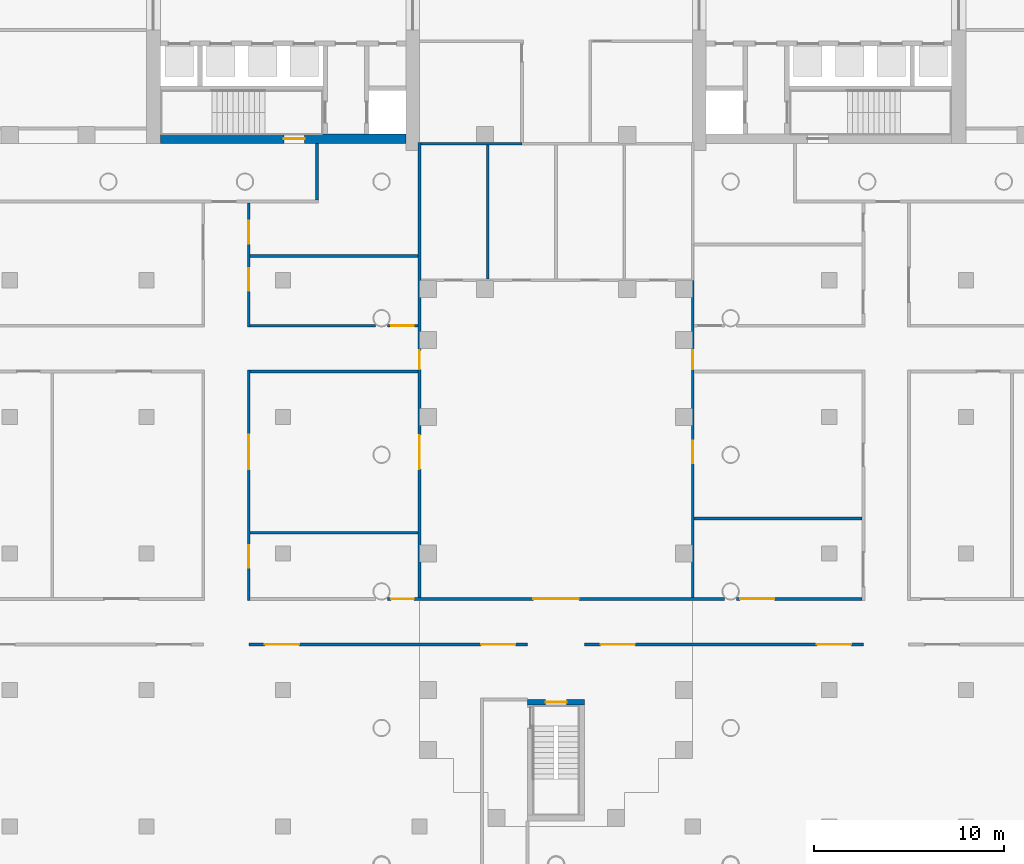
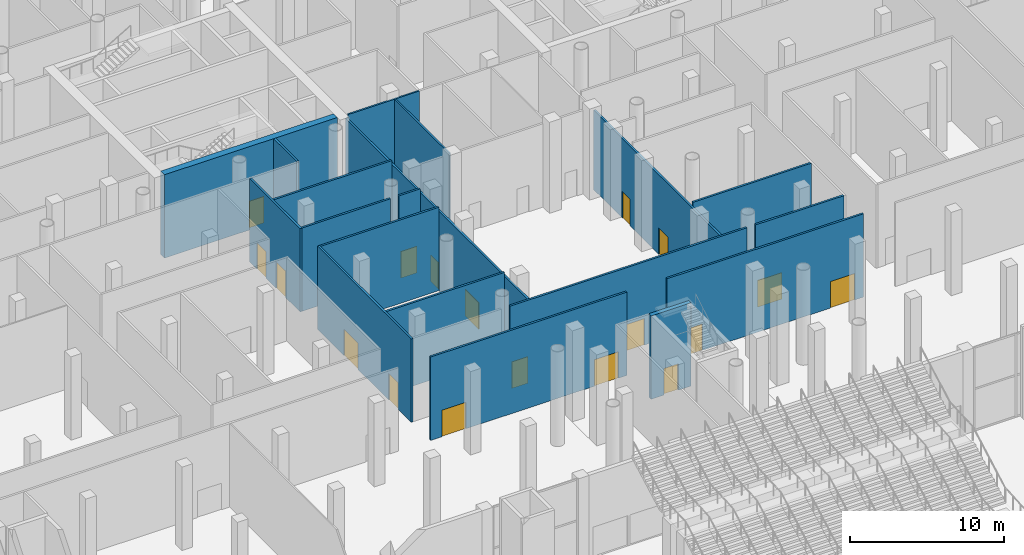
# One storey, part 17 of 44: 19 walls, 18 doors, 18 openings.
"""IFC4 building model written with IfcOpenShell, lengths in metres."""

from ifc_helpers import new_model, si_unit, direction, frame, frame_2d, origin, place, context, subcontext, project, spatial, rectangle, extrude, material, layer, layer_set, type_object, element, fill, save


model = new_model("IFC4")

# Units and contexts
model_context = context("Model", 3, precision=1e-05, world=origin(), true_north=direction((0.0, 1.0)))
body_context = subcontext(model_context, "Body", "Model", "MODEL_VIEW")
ifc_project = project(units=[si_unit("LENGTHUNIT", "METRE"), si_unit("AREAUNIT", "SQUARE_METRE"), si_unit("VOLUMEUNIT", "CUBIC_METRE"), si_unit("PLANEANGLEUNIT", "RADIAN"), si_unit("MASSUNIT", "GRAM", prefix="KILO")], contexts=[model_context])

# Site, building, storey
site_placement = place(None, origin())
site = spatial("IfcSite", under=ifc_project, at=site_placement, CompositionType="ELEMENT")
building_placement = place(site_placement, origin())
building = spatial("IfcBuilding", under=site, at=building_placement, Name="Fustian Cross Tower", CompositionType="ELEMENT")
storey_placement = place(building_placement, origin())
storey = spatial("IfcBuildingStorey", under=building, at=storey_placement, Name="L00", CompositionType="ELEMENT", Elevation=0.0)

# Wall, openings, doors
ifc_material_1 = material(Name="Plasterboard on steel stud", Category="steel")
ifc_layer_1 = layer(ifc_material_1, 0.14990234375)
ifc_layer_set_1 = layer_set([ifc_layer_1], Name="Plasterboard on steel stud")
wall_type_1 = type_object("IfcWallType", Name="COMPARTMENT WALL 150 EI 60", PredefinedType="PARTITIONING", material=ifc_layer_set_1)
wall_1_placement = place(storey_placement, frame((-16.199951171875, -33.60009765625, 0.0), z_axis=(0.0, 0.0, 1.0), x_axis=(1.0, 0.0, 0.0)))
wall_1 = element("IfcWall", 1, at=wall_1_placement, inside=storey, type_object=wall_type_1, Name="Partition 44", PredefinedType="PARTITIONING", context=body_context, shape_type="SweptSolid", body=[
    extrude(rectangle(XDim=14.699951171875, YDim=0.14990234375, at=frame_2d((7.35009765625, 0.0))), origin(), (0.0, 0.0, 1.0), 6.60009765625),
])
opening_1_placement = place(wall_1_placement, frame((0.85009765625, 0.0, 0.0)))
opening_1 = element("IfcOpeningElement", 2, at=opening_1_placement, cuts=wall_1, Name="Opening D02110", PredefinedType="OPENING", context=body_context, shape_type="SweptSolid", body=[
    extrude(rectangle(XDim=1.800048828125, YDim=2.10009765625, at=frame_2d((0.89990234375, 1.050048828125))), frame((0.0, 0.0849609375, 0.0), z_axis=(0.0, -1.0, 0.0), x_axis=(1.0, 0.0, 0.0)), (0.0, 0.0, 1.0), 0.169921875),
])
opening_2_placement = place(wall_1_placement, frame((12.25, 0.0, 0.0)))
opening_2 = element("IfcOpeningElement", 3, at=opening_2_placement, cuts=wall_1, Name="Opening D02111", PredefinedType="OPENING", context=body_context, shape_type="SweptSolid", body=[
    extrude(rectangle(XDim=1.800048828125, YDim=2.10009765625, at=frame_2d((0.89990234375, 1.050048828125))), frame((0.0, 0.0849609375, 0.0), z_axis=(0.0, -1.0, 0.0), x_axis=(1.0, 0.0, 0.0)), (0.0, 0.0, 1.0), 0.169921875),
])
ifc_material_2 = material(Name="Timber fire door set", Category="wood")
door_type_1 = type_object("IfcDoorType", Name="FIRE DOUBLE DOOR 1800 FD30S", OperationType="DOUBLE_DOOR_DOUBLE_SWING", PredefinedType="DOOR", material=ifc_material_2)
door_1_placement = place(opening_1_placement, origin())
door_1 = element("IfcDoor", 4, at=door_1_placement, inside=storey, type_object=door_type_1, Name="Door D02110", OperationType="DOUBLE_DOOR_DOUBLE_SWING", OverallHeight=2.10009765625, OverallWidth=1.800048828125, PredefinedType="DOOR", context=body_context, shape_type="SweptSolid", body=[
    extrude(rectangle(XDim=1.800048828125, YDim=2.10009765625, at=frame_2d((0.89990234375, 1.050048828125))), frame((0.0, 0.02490234375, 0.0), z_axis=(0.0, -1.0, 0.0), x_axis=(1.0, 0.0, 0.0)), (0.0, 0.0, 1.0), 0.050048828125),
])
fill(opening_1, door_1)
door_2_placement = place(opening_2_placement, origin())
door_2 = element("IfcDoor", 5, at=door_2_placement, inside=storey, type_object=door_type_1, Name="Door D02111", OperationType="DOUBLE_DOOR_DOUBLE_SWING", OverallHeight=2.10009765625, OverallWidth=1.800048828125, PredefinedType="DOOR", context=body_context, shape_type="SweptSolid", body=[
    extrude(rectangle(XDim=1.800048828125, YDim=2.10009765625, at=frame_2d((0.89990234375, 1.050048828125))), frame((0.0, 0.02490234375, 0.0), z_axis=(0.0, -1.0, 0.0), x_axis=(1.0, 0.0, 0.0)), (0.0, 0.0, 1.0), 0.050048828125),
])
fill(opening_2, door_2)

wall_2_placement = place(storey_placement, frame((-16.199951171875, -31.27490234375, 0.0), z_axis=(0.0, 0.0, 1.0), x_axis=(0.0, 1.0, 0.0)))
wall_2 = element("IfcWall", 6, at=wall_2_placement, inside=storey, type_object=wall_type_1, Name="Partition 45", PredefinedType="PARTITIONING", context=body_context, shape_type="SweptSolid", body=[
    extrude(rectangle(XDim=12.14990234375, YDim=0.14990234375, at=frame_2d((6.074951171875, 0.0))), origin(), (0.0, 0.0, 1.0), 6.60009765625),
])
opening_3_placement = place(wall_2_placement, frame((1.717041015625, 0.0, 0.0)))
opening_3 = element("IfcOpeningElement", 7, at=opening_3_placement, cuts=wall_2, Name="Opening D02098", PredefinedType="OPENING", context=body_context, shape_type="SweptSolid", body=[
    extrude(rectangle(XDim=1.199951171875, YDim=2.10009765625, at=frame_2d((0.60009765625, 1.050048828125))), frame((0.0, 0.0849609375, 0.0), z_axis=(0.0, -1.0, 0.0), x_axis=(1.0, 0.0, 0.0)), (0.0, 0.0, 1.0), 0.169921875),
])
opening_4_placement = place(wall_2_placement, frame((6.925048828125, 0.0, 0.0)))
opening_4 = element("IfcOpeningElement", 8, at=opening_4_placement, cuts=wall_2, Name="Opening D02100", PredefinedType="OPENING", context=body_context, shape_type="SweptSolid", body=[
    extrude(rectangle(XDim=1.800048828125, YDim=2.10009765625, at=frame_2d((0.89990234375, 1.050048828125))), frame((0.0, 0.0849609375, 0.0), z_axis=(0.0, -1.0, 0.0), x_axis=(1.0, 0.0, 0.0)), (0.0, 0.0, 1.0), 0.169921875),
])
door_3_placement = place(opening_4_placement, origin())
door_3 = element("IfcDoor", 9, at=door_3_placement, inside=storey, type_object=door_type_1, Name="Door D02100", OperationType="DOUBLE_DOOR_DOUBLE_SWING", OverallHeight=2.10009765625, OverallWidth=1.800048828125, PredefinedType="DOOR", context=body_context, shape_type="SweptSolid", body=[
    extrude(rectangle(XDim=1.800048828125, YDim=2.10009765625, at=frame_2d((0.89990234375, 1.050048828125))), frame((0.0, 0.02490234375, 0.0), z_axis=(0.0, -1.0, 0.0), x_axis=(1.0, 0.0, 0.0)), (0.0, 0.0, 1.0), 0.050048828125),
])
fill(opening_4, door_3)
ifc_material_3 = material(Name="Timber fire door set", Category="wood")
door_type_2 = type_object("IfcDoorType", Name="FIRE SWING DOOR 1200 FD30S", OperationType="SINGLE_SWING_LEFT", PredefinedType="DOOR", material=ifc_material_3)
door_4_placement = place(opening_3_placement, frame((1.199951171875, 0.0, 0.0), z_axis=(0.0, 0.0, 1.0), x_axis=(-1.0, 0.0, 0.0)))
door_4 = element("IfcDoor", 10, at=door_4_placement, inside=storey, type_object=door_type_2, Name="Door D02098", OperationType="SINGLE_SWING_LEFT", OverallHeight=2.10009765625, OverallWidth=1.199951171875, PredefinedType="DOOR", context=body_context, shape_type="SweptSolid", body=[
    extrude(rectangle(XDim=1.199951171875, YDim=2.10009765625, at=frame_2d((0.60009765625, 1.050048828125))), frame((0.0, 0.02490234375, 0.0), z_axis=(0.0, -1.0, 0.0), x_axis=(1.0, 0.0, 0.0)), (0.0, 0.0, 1.0), 0.050048828125),
])
fill(opening_3, door_4)

wall_3_placement = place(storey_placement, frame((-8.87841796875, -31.199951171875, 0.0), z_axis=(0.0, 0.0, 1.0), x_axis=(1.0, 0.0, 0.0)))
wall_3 = element("IfcWall", 11, at=wall_3_placement, inside=storey, type_object=wall_type_1, Name="Partition 155", PredefinedType="PARTITIONING", context=body_context, shape_type="SweptSolid", body=[
    extrude(rectangle(XDim=17.7568359375, YDim=0.14990234375, at=frame_2d((8.87841796875, 0.0))), origin(), (0.0, 0.0, 1.0), 6.60009765625),
])
opening_5_placement = place(wall_3_placement, frame((7.678466796875, 0.0, 0.0)))
opening_5 = element("IfcOpeningElement", 12, at=opening_5_placement, cuts=wall_3, Name="Opening D02007", PredefinedType="OPENING", context=body_context, shape_type="SweptSolid", body=[
    extrude(rectangle(XDim=2.39990234375, YDim=2.10009765625, at=frame_2d((1.199951171875, 1.050048828125))), frame((0.0, 0.0849609375, 0.0), z_axis=(0.0, -1.0, 0.0), x_axis=(1.0, 0.0, 0.0)), (0.0, 0.0, 1.0), 0.169921875),
])
opening_6_placement = place(wall_3_placement, frame((0.178466796875, 0.0, 0.0)))
opening_6 = element("IfcOpeningElement", 13, at=opening_6_placement, cuts=wall_3, Name="Opening D02099", PredefinedType="OPENING", context=body_context, shape_type="SweptSolid", body=[
    extrude(rectangle(XDim=1.199951171875, YDim=2.10009765625, at=frame_2d((0.60009765625, 1.050048828125))), frame((0.0, 0.0849609375, 0.0), z_axis=(0.0, -1.0, 0.0), x_axis=(1.0, 0.0, 0.0)), (0.0, 0.0, 1.0), 0.169921875),
])
ifc_material_4 = material(Name="Timber fire door set", Category="wood")
door_type_3 = type_object("IfcDoorType", Name="FIRE DOUBLE DOOR 2400 FD30S", OperationType="DOUBLE_DOOR_DOUBLE_SWING", PredefinedType="DOOR", material=ifc_material_4)
door_5_placement = place(opening_5_placement, frame((2.39990234375, 0.0, 0.0), z_axis=(0.0, 0.0, 1.0), x_axis=(-1.0, 0.0, 0.0)))
door_5 = element("IfcDoor", 14, at=door_5_placement, inside=storey, type_object=door_type_3, Name="Door D02007", OperationType="DOUBLE_DOOR_DOUBLE_SWING", OverallHeight=2.10009765625, OverallWidth=2.39990234375, PredefinedType="DOOR", context=body_context, shape_type="SweptSolid", body=[
    extrude(rectangle(XDim=2.39990234375, YDim=2.10009765625, at=frame_2d((1.199951171875, 1.050048828125))), frame((0.0, 0.02490234375, 0.0), z_axis=(0.0, -1.0, 0.0), x_axis=(1.0, 0.0, 0.0)), (0.0, 0.0, 1.0), 0.050048828125),
])
fill(opening_5, door_5)
door_6_placement = place(opening_6_placement, origin())
door_6 = element("IfcDoor", 15, at=door_6_placement, inside=storey, type_object=door_type_2, Name="Door D02099", OperationType="SINGLE_SWING_RIGHT", OverallHeight=2.10009765625, OverallWidth=1.199951171875, PredefinedType="DOOR", context=body_context, shape_type="SweptSolid", body=[
    extrude(rectangle(XDim=1.199951171875, YDim=2.10009765625, at=frame_2d((0.60009765625, 1.050048828125))), frame((0.0, 0.02490234375, 0.0), z_axis=(0.0, -1.0, 0.0), x_axis=(1.0, 0.0, 0.0)), (0.0, 0.0, 1.0), 0.050048828125),
])
fill(opening_6, door_6)

# Wall, opening, door
wall_4_placement = place(storey_placement, frame((9.521484375, -31.199951171875, 0.0), z_axis=(0.0, 0.0, 1.0), x_axis=(1.0, 0.0, 0.0)))
wall_4 = element("IfcWall", 16, at=wall_4_placement, inside=storey, type_object=wall_type_1, Name="Partition 156", PredefinedType="PARTITIONING", context=body_context, shape_type="SweptSolid", body=[
    extrude(rectangle(XDim=6.603515625, YDim=0.14990234375, at=frame_2d((3.3017578125, 0.0))), origin(), (0.0, 0.0, 1.0), 6.60009765625),
])
opening_7_placement = place(wall_4_placement, frame((0.178466796875, 0.0, 0.0)))
opening_7 = element("IfcOpeningElement", 17, at=opening_7_placement, cuts=wall_4, Name="Opening D02122", PredefinedType="OPENING", context=body_context, shape_type="SweptSolid", body=[
    extrude(rectangle(XDim=1.800048828125, YDim=2.10009765625, at=frame_2d((0.89990234375, 1.050048828125))), frame((0.0, 0.0849609375, 0.0), z_axis=(0.0, -1.0, 0.0), x_axis=(1.0, 0.0, 0.0)), (0.0, 0.0, 1.0), 0.169921875),
])
door_7_placement = place(opening_7_placement, frame((1.800048828125, 0.0, 0.0), z_axis=(0.0, 0.0, 1.0), x_axis=(-1.0, 0.0, 0.0)))
door_7 = element("IfcDoor", 18, at=door_7_placement, inside=storey, type_object=door_type_1, Name="Door D02122", OperationType="DOUBLE_DOOR_DOUBLE_SWING", OverallHeight=2.10009765625, OverallWidth=1.800048828125, PredefinedType="DOOR", context=body_context, shape_type="SweptSolid", body=[
    extrude(rectangle(XDim=1.800048828125, YDim=2.10009765625, at=frame_2d((0.89990234375, 1.050048828125))), frame((0.0, 0.02490234375, 0.0), z_axis=(0.0, -1.0, 0.0), x_axis=(1.0, 0.0, 0.0)), (0.0, 0.0, 1.0), 0.050048828125),
])
fill(opening_7, door_7)

# Walls
for number, where, z_axis, x_axis, name in (
    (19, (-16.125, -27.7080078125, 0.0), (0.0, 0.0, 1.0), (1.0, 0.0, 0.0), "Partition 47"),
    (20, (-16.125, -19.199951171875, 0.0), (0.0, 0.0, 1.0), (1.0, 0.0, 0.0), "Partition 48"),
):
    element("IfcWall", number, at=place(storey_placement, frame(where, z_axis=z_axis, x_axis=x_axis)), inside=storey, type_object=wall_type_1, Name=name, PredefinedType="PARTITIONING", context=body_context, shape_type="SweptSolid", body=[
        extrude(rectangle(XDim=8.85009765625, YDim=0.14990234375, at=frame_2d((4.425048828125, 0.0))), origin(), (0.0, 0.0, 1.0), 6.60009765625),
    ])

# Wall, openings, doors
wall_5_placement = place(storey_placement, frame((-16.199951171875, -16.875, 0.0), z_axis=(0.0, 0.0, 1.0), x_axis=(0.0, 1.0, 0.0)))
wall_5 = element("IfcWall", 21, at=wall_5_placement, inside=storey, type_object=wall_type_1, Name="Partition 49", PredefinedType="PARTITIONING", context=body_context, shape_type="SweptSolid", body=[
    extrude(rectangle(XDim=6.550048828125, YDim=0.14990234375, at=frame_2d((3.27490234375, 0.0))), origin(), (0.0, 0.0, 1.0), 6.60009765625),
])
opening_8_placement = place(wall_5_placement, frame((1.910888671875, 0.0, 0.0)))
opening_8 = element("IfcOpeningElement", 22, at=opening_8_placement, cuts=wall_5, Name="Opening D02092", PredefinedType="OPENING", context=body_context, shape_type="SweptSolid", body=[
    extrude(rectangle(XDim=1.199951171875, YDim=2.10009765625, at=frame_2d((0.60009765625, 1.050048828125))), frame((0.0, 0.0849609375, 0.0), z_axis=(0.0, -1.0, 0.0), x_axis=(1.0, 0.0, 0.0)), (0.0, 0.0, 1.0), 0.169921875),
])
opening_9_placement = place(wall_5_placement, frame((4.410888671875, 0.0, 0.0)))
opening_9 = element("IfcOpeningElement", 23, at=opening_9_placement, cuts=wall_5, Name="Opening D02094", PredefinedType="OPENING", context=body_context, shape_type="SweptSolid", body=[
    extrude(rectangle(XDim=1.199951171875, YDim=2.10009765625, at=frame_2d((0.60009765625, 1.050048828125))), frame((0.0, 0.0849609375, 0.0), z_axis=(0.0, -1.0, 0.0), x_axis=(1.0, 0.0, 0.0)), (0.0, 0.0, 1.0), 0.169921875),
])
door_8_placement = place(opening_9_placement, frame((1.199951171875, 0.0, 0.0), z_axis=(0.0, 0.0, 1.0), x_axis=(-1.0, 0.0, 0.0)))
door_8 = element("IfcDoor", 24, at=door_8_placement, inside=storey, type_object=door_type_2, Name="Door D02094", OperationType="SINGLE_SWING_RIGHT", OverallHeight=2.10009765625, OverallWidth=1.199951171875, PredefinedType="DOOR", context=body_context, shape_type="SweptSolid", body=[
    extrude(rectangle(XDim=1.199951171875, YDim=2.10009765625, at=frame_2d((0.60009765625, 1.050048828125))), frame((0.0, 0.02490234375, 0.0), z_axis=(0.0, -1.0, 0.0), x_axis=(1.0, 0.0, 0.0)), (0.0, 0.0, 1.0), 0.050048828125),
])
fill(opening_9, door_8)
ifc_material_5 = material(Name="Timber fire door set", Category="wood")
door_type_4 = type_object("IfcDoorType", Name="FIRE SWING DOOR 1200 FD60S", OperationType="SINGLE_SWING_LEFT", PredefinedType="DOOR", material=ifc_material_5)
door_9_placement = place(opening_8_placement, origin())
door_9 = element("IfcDoor", 25, at=door_9_placement, inside=storey, type_object=door_type_4, Name="Door D02092", OperationType="SINGLE_SWING_LEFT", OverallHeight=2.10009765625, OverallWidth=1.199951171875, PredefinedType="DOOR", context=body_context, shape_type="SweptSolid", body=[
    extrude(rectangle(XDim=1.199951171875, YDim=2.10009765625, at=frame_2d((0.60009765625, 1.050048828125))), frame((0.0, 0.02490234375, 0.0), z_axis=(0.0, -1.0, 0.0), x_axis=(1.0, 0.0, 0.0)), (0.0, 0.0, 1.0), 0.050048828125),
])
fill(opening_8, door_9)

# Wall
wall_6_placement = place(storey_placement, frame((-16.125, -16.800048828125, 0.0), z_axis=(0.0, 0.0, 1.0), x_axis=(1.0, 0.0, 0.0)))
element("IfcWall", 26, at=wall_6_placement, inside=storey, type_object=wall_type_1, Name="Partition 50", PredefinedType="PARTITIONING", context=body_context, shape_type="SweptSolid", body=[
    extrude(rectangle(XDim=6.603515625, YDim=0.14990234375, at=frame_2d((3.3017578125, 0.0))), origin(), (0.0, 0.0, 1.0), 6.60009765625),
])

# Wall, opening, door
wall_7_placement = place(storey_placement, frame((-8.87841796875, -16.800048828125, 0.0), z_axis=(0.0, 0.0, 1.0), x_axis=(1.0, 0.0, 0.0)))
wall_7 = element("IfcWall", 27, at=wall_7_placement, inside=storey, type_object=wall_type_1, Name="Partition 157", PredefinedType="PARTITIONING", context=body_context, shape_type="SweptSolid", body=[
    extrude(rectangle(XDim=1.603515625, YDim=0.14990234375, at=frame_2d((0.8017578125, 0.0))), origin(), (0.0, 0.0, 1.0), 6.60009765625),
])
opening_10_placement = place(wall_7_placement, frame((0.178466796875, 0.0, 0.0)))
opening_10 = element("IfcOpeningElement", 28, at=opening_10_placement, cuts=wall_7, Name="Opening D02093", PredefinedType="OPENING", context=body_context, shape_type="SweptSolid", body=[
    extrude(rectangle(XDim=1.199951171875, YDim=2.10009765625, at=frame_2d((0.60009765625, 1.050048828125))), frame((0.0, 0.0849609375, 0.0), z_axis=(0.0, -1.0, 0.0), x_axis=(1.0, 0.0, 0.0)), (0.0, 0.0, 1.0), 0.169921875),
])
door_10_placement = place(opening_10_placement, frame((1.199951171875, 0.0, 0.0), z_axis=(0.0, 0.0, 1.0), x_axis=(-1.0, 0.0, 0.0)))
door_10 = element("IfcDoor", 29, at=door_10_placement, inside=storey, type_object=door_type_4, Name="Door D02093", OperationType="SINGLE_SWING_LEFT", OverallHeight=2.10009765625, OverallWidth=1.199951171875, PredefinedType="DOOR", context=body_context, shape_type="SweptSolid", body=[
    extrude(rectangle(XDim=1.199951171875, YDim=2.10009765625, at=frame_2d((0.60009765625, 1.050048828125))), frame((0.0, 0.02490234375, 0.0), z_axis=(0.0, -1.0, 0.0), x_axis=(1.0, 0.0, 0.0)), (0.0, 0.0, 1.0), 0.050048828125),
])
fill(opening_10, door_10)

# Walls
wall_8_placement = place(storey_placement, frame((-16.125, -13.113525390625, 0.0), z_axis=(0.0, 0.0, 1.0), x_axis=(1.0, 0.0, 0.0)))
element("IfcWall", 30, at=wall_8_placement, inside=storey, type_object=wall_type_1, Name="Partition 51", PredefinedType="PARTITIONING", context=body_context, shape_type="SweptSolid", body=[
    extrude(rectangle(XDim=8.85009765625, YDim=0.14990234375, at=frame_2d((4.425048828125, 0.0))), origin(), (0.0, 0.0, 1.0), 6.60009765625),
])
wall_9_placement = place(storey_placement, frame((-12.60009765625, -10.175048828125, 0.0), z_axis=(0.0, 0.0, 1.0), x_axis=(0.0, 1.0, 0.0)))
element("IfcWall", 31, at=wall_9_placement, inside=storey, type_object=wall_type_1, Name="Partition 59", PredefinedType="PARTITIONING", context=body_context, shape_type="SweptSolid", body=[
    extrude(rectangle(XDim=2.97509765625, YDim=0.14990234375, at=frame_2d((1.487548828125, 0.0))), origin(), (0.0, 0.0, 1.0), 6.60009765625),
])

# Wall, openings, doors
wall_10_placement = place(storey_placement, frame((-7.199951171875, -31.125, 0.0), z_axis=(0.0, 0.0, 1.0), x_axis=(0.0, 1.0, 0.0)))
wall_10 = element("IfcWall", 32, at=wall_10_placement, inside=storey, type_object=wall_type_1, Name="Partition 63", PredefinedType="PARTITIONING", context=body_context, shape_type="SweptSolid", body=[
    extrude(rectangle(XDim=23.987548828125, YDim=0.14990234375, at=frame_2d((11.99365234375, 0.0))), origin(), (0.0, 0.0, 1.0), 6.300048828125),
])
opening_11_placement = place(wall_10_placement, frame((12.02490234375, 0.0, 0.0)))
opening_11 = element("IfcOpeningElement", 33, at=opening_11_placement, cuts=wall_10, Name="Opening D02006", PredefinedType="OPENING", context=body_context, shape_type="SweptSolid", body=[
    extrude(rectangle(XDim=1.0, YDim=2.10009765625, at=frame_2d((0.5, 1.050048828125))), frame((0.0, 0.0849609375, 0.0), z_axis=(0.0, -1.0, 0.0), x_axis=(1.0, 0.0, 0.0)), (0.0, 0.0, 1.0), 0.169921875),
])
opening_12_placement = place(wall_10_placement, frame((6.76708984375, 0.0, 0.0)))
opening_12 = element("IfcOpeningElement", 34, at=opening_12_placement, cuts=wall_10, Name="Opening D02101", PredefinedType="OPENING", context=body_context, shape_type="SweptSolid", body=[
    extrude(rectangle(XDim=1.800048828125, YDim=2.10009765625, at=frame_2d((0.89990234375, 1.050048828125))), frame((0.0, 0.0849609375, 0.0), z_axis=(0.0, -1.0, 0.0), x_axis=(1.0, 0.0, 0.0)), (0.0, 0.0, 1.0), 0.169921875),
])
door_11_placement = place(opening_12_placement, frame((1.800048828125, 0.0, 0.0), z_axis=(0.0, 0.0, 1.0), x_axis=(-1.0, 0.0, 0.0)))
door_11 = element("IfcDoor", 35, at=door_11_placement, inside=storey, type_object=door_type_1, Name="Door D02101", OperationType="DOUBLE_DOOR_DOUBLE_SWING", OverallHeight=2.10009765625, OverallWidth=1.800048828125, PredefinedType="DOOR", context=body_context, shape_type="SweptSolid", body=[
    extrude(rectangle(XDim=1.800048828125, YDim=2.10009765625, at=frame_2d((0.89990234375, 1.050048828125))), frame((0.0, 0.02490234375, 0.0), z_axis=(0.0, -1.0, 0.0), x_axis=(1.0, 0.0, 0.0)), (0.0, 0.0, 1.0), 0.050048828125),
])
fill(opening_12, door_11)
ifc_material_6 = material(Name="Timber fire door set", Category="wood")
door_type_5 = type_object("IfcDoorType", Name="FIRE SWING DOOR 1000 FD30S", OperationType="SINGLE_SWING_LEFT", PredefinedType="DOOR", material=ifc_material_6)
door_12_placement = place(opening_11_placement, origin())
door_12 = element("IfcDoor", 36, at=door_12_placement, inside=storey, type_object=door_type_5, Name="Door D02006", OperationType="SINGLE_SWING_LEFT", OverallHeight=2.10009765625, OverallWidth=1.0, PredefinedType="DOOR", context=body_context, shape_type="SweptSolid", body=[
    extrude(rectangle(XDim=1.0, YDim=2.10009765625, at=frame_2d((0.5, 1.050048828125))), frame((0.0, 0.02490234375, 0.0), z_axis=(0.0, -1.0, 0.0), x_axis=(1.0, 0.0, 0.0)), (0.0, 0.0, 1.0), 0.050048828125),
])
fill(opening_11, door_12)

wall_11_placement = place(storey_placement, frame((1.5, -33.60009765625, 0.0), z_axis=(0.0, 0.0, 1.0), x_axis=(1.0, 0.0, 0.0)))
wall_11 = element("IfcWall", 37, at=wall_11_placement, inside=storey, type_object=wall_type_1, Name="Partition 88", PredefinedType="PARTITIONING", context=body_context, shape_type="SweptSolid", body=[
    extrude(rectangle(XDim=14.699951171875, YDim=0.14990234375, at=frame_2d((7.35009765625, 0.0))), origin(), (0.0, 0.0, 1.0), 6.60009765625),
])
opening_13_placement = place(wall_11_placement, frame((0.85009765625, 0.0, 0.0)))
opening_13 = element("IfcOpeningElement", 38, at=opening_13_placement, cuts=wall_11, Name="Opening D02134", PredefinedType="OPENING", context=body_context, shape_type="SweptSolid", body=[
    extrude(rectangle(XDim=1.800048828125, YDim=2.10009765625, at=frame_2d((0.89990234375, 1.050048828125))), frame((0.0, 0.0849609375, 0.0), z_axis=(0.0, -1.0, 0.0), x_axis=(1.0, 0.0, 0.0)), (0.0, 0.0, 1.0), 0.169921875),
])
opening_14_placement = place(wall_11_placement, frame((12.25, 0.0, 0.0)))
opening_14 = element("IfcOpeningElement", 39, at=opening_14_placement, cuts=wall_11, Name="Opening D02135", PredefinedType="OPENING", context=body_context, shape_type="SweptSolid", body=[
    extrude(rectangle(XDim=1.800048828125, YDim=2.10009765625, at=frame_2d((0.89990234375, 1.050048828125))), frame((0.0, 0.0849609375, 0.0), z_axis=(0.0, -1.0, 0.0), x_axis=(1.0, 0.0, 0.0)), (0.0, 0.0, 1.0), 0.169921875),
])
door_13_placement = place(opening_13_placement, origin())
door_13 = element("IfcDoor", 40, at=door_13_placement, inside=storey, type_object=door_type_1, Name="Door D02134", OperationType="DOUBLE_DOOR_DOUBLE_SWING", OverallHeight=2.10009765625, OverallWidth=1.800048828125, PredefinedType="DOOR", context=body_context, shape_type="SweptSolid", body=[
    extrude(rectangle(XDim=1.800048828125, YDim=2.10009765625, at=frame_2d((0.89990234375, 1.050048828125))), frame((0.0, 0.02490234375, 0.0), z_axis=(0.0, -1.0, 0.0), x_axis=(1.0, 0.0, 0.0)), (0.0, 0.0, 1.0), 0.050048828125),
])
fill(opening_13, door_13)
door_14_placement = place(opening_14_placement, origin())
door_14 = element("IfcDoor", 41, at=door_14_placement, inside=storey, type_object=door_type_1, Name="Door D02135", OperationType="DOUBLE_DOOR_DOUBLE_SWING", OverallHeight=2.10009765625, OverallWidth=1.800048828125, PredefinedType="DOOR", context=body_context, shape_type="SweptSolid", body=[
    extrude(rectangle(XDim=1.800048828125, YDim=2.10009765625, at=frame_2d((0.89990234375, 1.050048828125))), frame((0.0, 0.02490234375, 0.0), z_axis=(0.0, -1.0, 0.0), x_axis=(1.0, 0.0, 0.0)), (0.0, 0.0, 1.0), 0.050048828125),
])
fill(opening_14, door_14)

wall_12_placement = place(storey_placement, frame((7.199951171875, -31.125, 0.0), z_axis=(0.0, 0.0, 1.0), x_axis=(0.0, 1.0, 0.0)))
wall_12 = element("IfcWall", 42, at=wall_12_placement, inside=storey, type_object=wall_type_1, Name="Partition 97", PredefinedType="PARTITIONING", context=body_context, shape_type="SweptSolid", body=[
    extrude(rectangle(XDim=16.72509765625, YDim=0.14990234375, at=frame_2d((8.362548828125, 0.0))), origin(), (0.0, 0.0, 1.0), 6.300048828125),
])
opening_15_placement = place(wall_12_placement, frame((12.02490234375, 0.0, 0.0)))
opening_15 = element("IfcOpeningElement", 43, at=opening_15_placement, cuts=wall_12, Name="Opening D02008", PredefinedType="OPENING", context=body_context, shape_type="SweptSolid", body=[
    extrude(rectangle(XDim=1.0, YDim=2.10009765625, at=frame_2d((0.5, 1.050048828125))), frame((0.0, 0.0849609375, 0.0), z_axis=(0.0, -1.0, 0.0), x_axis=(1.0, 0.0, 0.0)), (0.0, 0.0, 1.0), 0.169921875),
])
opening_16_placement = place(wall_12_placement, frame((7.074951171875, 0.0, 0.0)))
opening_16 = element("IfcOpeningElement", 44, at=opening_16_placement, cuts=wall_12, Name="Opening D02124", PredefinedType="OPENING", context=body_context, shape_type="SweptSolid", body=[
    extrude(rectangle(XDim=1.199951171875, YDim=2.10009765625, at=frame_2d((0.60009765625, 1.050048828125))), frame((0.0, 0.0849609375, 0.0), z_axis=(0.0, -1.0, 0.0), x_axis=(1.0, 0.0, 0.0)), (0.0, 0.0, 1.0), 0.169921875),
])
door_15_placement = place(opening_15_placement, frame((1.0, 0.0, 0.0), z_axis=(0.0, 0.0, 1.0), x_axis=(-1.0, 0.0, 0.0)))
door_15 = element("IfcDoor", 45, at=door_15_placement, inside=storey, type_object=door_type_5, Name="Door D02008", OperationType="SINGLE_SWING_RIGHT", OverallHeight=2.10009765625, OverallWidth=1.0, PredefinedType="DOOR", context=body_context, shape_type="SweptSolid", body=[
    extrude(rectangle(XDim=1.0, YDim=2.10009765625, at=frame_2d((0.5, 1.050048828125))), frame((0.0, 0.02490234375, 0.0), z_axis=(0.0, -1.0, 0.0), x_axis=(1.0, 0.0, 0.0)), (0.0, 0.0, 1.0), 0.050048828125),
])
fill(opening_15, door_15)
door_16_placement = place(opening_16_placement, frame((1.199951171875, 0.0, 0.0), z_axis=(0.0, 0.0, 1.0), x_axis=(-1.0, 0.0, 0.0)))
door_16 = element("IfcDoor", 46, at=door_16_placement, inside=storey, type_object=door_type_2, Name="Door D02124", OperationType="SINGLE_SWING_RIGHT", OverallHeight=2.10009765625, OverallWidth=1.199951171875, PredefinedType="DOOR", context=body_context, shape_type="SweptSolid", body=[
    extrude(rectangle(XDim=1.199951171875, YDim=2.10009765625, at=frame_2d((0.60009765625, 1.050048828125))), frame((0.0, 0.02490234375, 0.0), z_axis=(0.0, -1.0, 0.0), x_axis=(1.0, 0.0, 0.0)), (0.0, 0.0, 1.0), 0.050048828125),
])
fill(opening_16, door_16)

# Wall
wall_13_placement = place(storey_placement, frame((7.27490234375, -26.964111328125, 0.0), z_axis=(0.0, 0.0, 1.0), x_axis=(1.0, 0.0, 0.0)))
element("IfcWall", 47, at=wall_13_placement, inside=storey, type_object=wall_type_1, Name="Partition 98", PredefinedType="PARTITIONING", context=body_context, shape_type="SweptSolid", body=[
    extrude(rectangle(XDim=8.85009765625, YDim=0.14990234375, at=frame_2d((4.425048828125, 0.0))), origin(), (0.0, 0.0, 1.0), 6.60009765625),
])

# Wall, opening, door
ifc_material_7 = material(Name="Concrete C80/95", Category="concrete")
ifc_layer_2 = layer(ifc_material_7, 0.5)
ifc_layer_set_2 = layer_set([ifc_layer_2], Name="Concrete C80/95")
wall_type_2 = type_object("IfcWallType", Name="CORE BASE WALL 500 C80/95", PredefinedType="SHEAR", material=ifc_layer_set_2)
wall_14_placement = place(storey_placement, frame((-7.89990234375, -6.949951171875, 0.0), z_axis=(0.0, 0.0, 1.0), x_axis=(-1.0, 0.0, 0.0)))
wall_14 = element("IfcWall", 48, at=wall_14_placement, inside=storey, type_object=wall_type_2, Name="Core facade wall", PredefinedType="SHEAR", context=body_context, shape_type="SweptSolid", body=[
    extrude(rectangle(XDim=12.9501953125, YDim=0.5, at=frame_2d((6.47509765625, 0.0))), origin(), (0.0, 0.0, 1.0), 6.60009765625),
])
opening_17_placement = place(wall_14_placement, frame((5.35009765625, 0.0, 0.0)))
opening_17 = element("IfcOpeningElement", 49, at=opening_17_placement, cuts=wall_14, Name="Opening CD-02-40", PredefinedType="OPENING", context=body_context, shape_type="SweptSolid", body=[
    extrude(rectangle(XDim=1.10009765625, YDim=2.10009765625, at=frame_2d((0.550048828125, 1.050048828125))), frame((0.0, 0.260009765625, 0.0), z_axis=(0.0, -1.0, 0.0), x_axis=(1.0, 0.0, 0.0)), (0.0, 0.0, 1.0), 0.52001953125),
])
ifc_material_8 = material(Name="Steel", Category="steel")
door_type_6 = type_object("IfcDoorType", Name="FIRE DOOR FD60S 1100X2100", OperationType="SINGLE_SWING_LEFT", PredefinedType="DOOR", material=ifc_material_8)
door_17_placement = place(opening_17_placement, origin())
door_17 = element("IfcDoor", 50, at=door_17_placement, inside=storey, type_object=door_type_6, Name="Core door CD-02-40", OperationType="SINGLE_SWING_LEFT", OverallHeight=2.10009765625, OverallWidth=1.10009765625, PredefinedType="DOOR", context=body_context, shape_type="SweptSolid", body=[
    extrude(rectangle(XDim=1.10009765625, YDim=2.10009765625, at=frame_2d((0.550048828125, 1.050048828125))), frame((0.0, 0.02490234375, 0.0), z_axis=(0.0, -1.0, 0.0), x_axis=(1.0, 0.0, 0.0)), (0.0, 0.0, 1.0), 0.050048828125),
])
fill(opening_17, door_17)

ifc_material_9 = material(Name="Concrete C50/60", Category="concrete")
ifc_layer_3 = layer(ifc_material_9, 0.300048828125)
ifc_layer_set_3 = layer_set([ifc_layer_3], Name="Concrete C50/60")
wall_type_3 = type_object("IfcWallType", Name="STAIR ENCLOSURE WALL 300 C50/60", PredefinedType="SHEAR", material=ifc_layer_set_3)
wall_15_placement = place(storey_placement, frame((-1.5, -36.64990234375, 0.0), z_axis=(0.0, 0.0, 1.0), x_axis=(1.0, 0.0, 0.0)))
wall_15 = element("IfcWall", 51, at=wall_15_placement, inside=storey, type_object=wall_type_3, Name="Stair enclosure wall", PredefinedType="SHEAR", context=body_context, shape_type="SweptSolid", body=[
    extrude(rectangle(XDim=3.0, YDim=0.300048828125, at=frame_2d((1.5, 0.0))), origin(), (0.0, 0.0, 1.0), 6.60009765625),
])
opening_18_placement = place(wall_15_placement, frame((0.949951171875, 0.0, 0.0)))
opening_18 = element("IfcOpeningElement", 52, at=opening_18_placement, cuts=wall_15, Name="Opening CD-02-34", PredefinedType="OPENING", context=body_context, shape_type="SweptSolid", body=[
    extrude(rectangle(XDim=1.10009765625, YDim=2.10009765625, at=frame_2d((0.550048828125, 1.050048828125))), frame((0.0, 0.159912109375, 0.0), z_axis=(0.0, -1.0, 0.0), x_axis=(1.0, 0.0, 0.0)), (0.0, 0.0, 1.0), 0.320068359375),
])
door_18_placement = place(opening_18_placement, frame((1.10009765625, 0.0, 0.0), z_axis=(0.0, 0.0, 1.0), x_axis=(-1.0, 0.0, 0.0)))
door_18 = element("IfcDoor", 53, at=door_18_placement, inside=storey, type_object=door_type_6, Name="Core door CD-02-34", OperationType="SINGLE_SWING_RIGHT", OverallHeight=2.10009765625, OverallWidth=1.10009765625, PredefinedType="DOOR", context=body_context, shape_type="SweptSolid", body=[
    extrude(rectangle(XDim=1.10009765625, YDim=2.10009765625, at=frame_2d((0.550048828125, 1.050048828125))), frame((0.0, 0.02490234375, 0.0), z_axis=(0.0, -1.0, 0.0), x_axis=(1.0, 0.0, 0.0)), (0.0, 0.0, 1.0), 0.050048828125),
])
fill(opening_18, door_18)

# Walls
ifc_material_10 = material(Name="Plasterboard on steel stud", Category="steel")
ifc_layer_4 = layer(ifc_material_10, 0.125)
ifc_layer_set_4 = layer_set([ifc_layer_4], Name="Plasterboard on steel stud")
wall_type_4 = type_object("IfcWallType", Name="WET WALL 125 STUD", PredefinedType="PARTITIONING", material=ifc_layer_set_4)
wall_16_placement = place(storey_placement, frame((-7.125, -7.199951171875, 0.0), z_axis=(0.0, 0.0, 1.0), x_axis=(1.0, 0.0, 0.0)))
element("IfcWall", 54, at=wall_16_placement, inside=storey, type_object=wall_type_4, Name="Partition 65", PredefinedType="PARTITIONING", context=body_context, shape_type="SweptSolid", body=[
    extrude(rectangle(XDim=5.324951171875, YDim=0.125, at=frame_2d((2.66259765625, 0.0))), origin(), (0.0, 0.0, 1.0), 6.60009765625),
])
wall_17_placement = place(storey_placement, frame((-3.60009765625, -14.324951171875, 0.0), z_axis=(0.0, 0.0, 1.0), x_axis=(0.0, 1.0, 0.0)))
element("IfcWall", 55, at=wall_17_placement, inside=storey, type_object=wall_type_4, Name="Partition 73", PredefinedType="PARTITIONING", context=body_context, shape_type="SweptSolid", body=[
    extrude(rectangle(XDim=7.0625, YDim=0.125, at=frame_2d((3.53125, 0.0))), origin(), (0.0, 0.0, 1.0), 6.60009765625),
])

save(model, "model.ifc")
